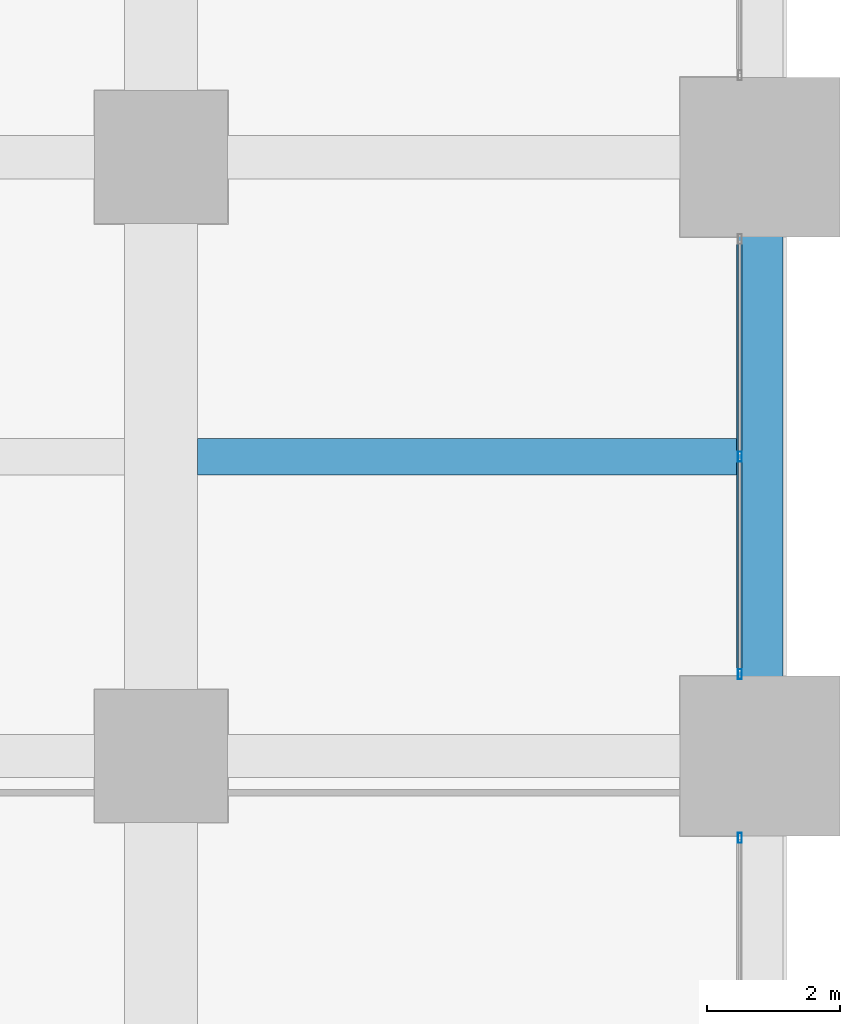
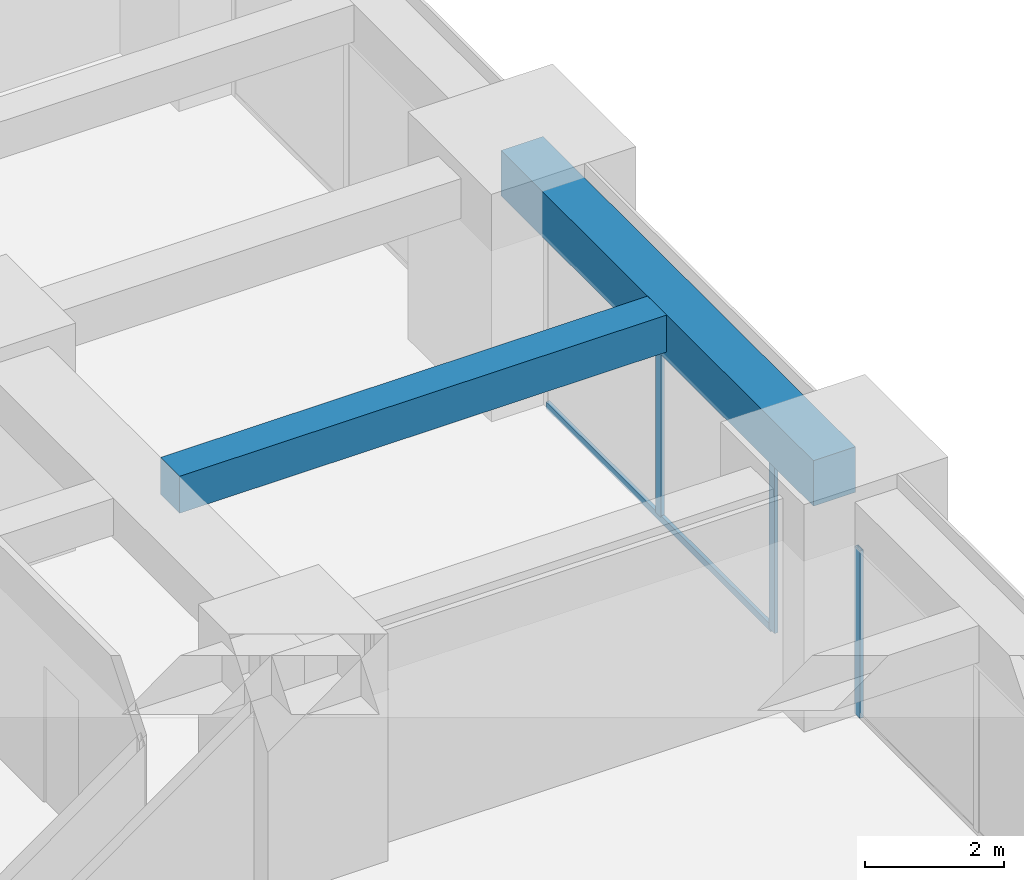
# One storey, part 21 of 39: 4 members, 2 beams, 2 elements without a shape of their own.
"""IFC4 building model written with IfcOpenShell, lengths in metres."""

import ifcopenshell
import ifcopenshell.guid

model = None  # the IFC model being written
_history = None  # IfcOwnerHistory: only IFC2X3 demands one
_inside = {}  # id of a spatial element -> (the spatial element, [elements in it])
_under = {}  # id of a project, library or spatial element -> (it, [spatial elements below it])
_declared = {}  # id of a project -> (the project, [libraries it declares])
_typed = {}  # id of a type object -> (the type object, [elements of that type])
_made_of = {}  # id of a material, layer set ... -> (it, [elements and type objects made of it])


def new_model(schema):
    """Start an empty IFC model of exactly this schema.

    Asked for "IFC4X3", IfcOpenShell would pick the latest addendum, in which some entities
    have other attributes; the version numbers below select the first issue.
    IFC2X3 requires an IfcOwnerHistory on every rooted entity: one is made here for all.
    """
    global model, _history
    if schema == "IFC4X3":
        model = ifcopenshell.file(schema_version=(4, 3, 0, 0))
    else:
        model = ifcopenshell.file(schema=schema)
    _inside.clear()
    _under.clear()
    _declared.clear()
    _typed.clear()
    _made_of.clear()
    _history = None
    if model.schema == "IFC2X3":
        org = make("IfcOrganization", Name="unknown")
        user = make(
            "IfcPersonAndOrganization",
            ThePerson=make("IfcPerson", FamilyName="unknown"),
            TheOrganization=org,
        )
        app = make(
            "IfcApplication",
            ApplicationDeveloper=org,
            Version="unknown",
            ApplicationFullName="unknown",
            ApplicationIdentifier="unknown",
        )
        _history = make(
            "IfcOwnerHistory",
            OwningUser=user,
            OwningApplication=app,
            ChangeAction="ADDED",
            CreationDate=0,
        )
    return model


def make(cls, **values):
    """One entity of the class cls with the attributes given. An attribute that is None is left unset."""
    return model.create_entity(
        cls, **{name: value for name, value in values.items() if value is not None}
    )


def rooted(cls, **values):
    """An entity with a GlobalId (a new one), such as an element, a storey or a relation."""
    return make(cls, GlobalId=ifcopenshell.guid.new(), OwnerHistory=_history, **values)


def si_unit(unit_type, name, prefix=None):
    """IfcSIUnit, for example si_unit("LENGTHUNIT", "METRE", prefix="MILLI")."""
    return make("IfcSIUnit", UnitType=unit_type, Prefix=prefix, Name=name)


def assignment(units):
    """IfcUnitAssignment: the units of a project."""
    return None if units is None else make("IfcUnitAssignment", Units=units)


def point(xyz):
    """IfcCartesianPoint."""
    return None if xyz is None else make("IfcCartesianPoint", Coordinates=xyz)


def direction(xyz):
    """IfcDirection."""
    return None if xyz is None else make("IfcDirection", DirectionRatios=xyz)


def frame(location, z_axis=None, x_axis=None):
    """IfcAxis2Placement3D, a coordinate frame: its origin and axes. An axis left out is left unset."""
    return make(
        "IfcAxis2Placement3D",
        Location=point(location),
        Axis=direction(z_axis),
        RefDirection=direction(x_axis),
    )


def frame_2d(location, x_axis=None):
    """IfcAxis2Placement2D, a coordinate frame in the plane: its origin and x axis."""
    return make(
        "IfcAxis2Placement2D", Location=point(location), RefDirection=direction(x_axis)
    )


def origin():
    """The frame at (0, 0, 0) with its axes left unset."""
    return frame((0.0, 0.0, 0.0))


def origin_2d():
    """The frame at (0, 0) in the plane with its x axis left unset."""
    return frame_2d((0.0, 0.0))


def place(relative_to, where):
    """IfcLocalPlacement: puts the frame where relative to a parent placement (None: the world)."""
    return make(
        "IfcLocalPlacement", PlacementRelTo=relative_to, RelativePlacement=where
    )


def context(
    kind, dimensions, precision=None, world=None, true_north=None, identifier=None
):
    """IfcGeometricRepresentationContext, for example the 3D "Model" context."""
    return make(
        "IfcGeometricRepresentationContext",
        ContextIdentifier=identifier,
        ContextType=kind,
        CoordinateSpaceDimension=dimensions,
        Precision=precision,
        WorldCoordinateSystem=world,
        TrueNorth=true_north,
    )


def subcontext(parent, identifier, kind, view, scale=None):
    """IfcGeometricRepresentationSubContext, for example "Body" below "Model"."""
    return make(
        "IfcGeometricRepresentationSubContext",
        ContextIdentifier=identifier,
        ContextType=kind,
        ParentContext=parent,
        TargetScale=scale,
        TargetView=view,
    )


def project(units=None, contexts=None):
    """IfcProject with its units and contexts."""
    return rooted(
        "IfcProject",
        Name="project",
        RepresentationContexts=contexts,
        UnitsInContext=assignment(units),
    )


def spatial(cls, under=None, at=None, **own):
    """A site, building, storey or space (cls), placed at a placement, below another one or the project."""
    s = rooted(cls, ObjectPlacement=at, **own)
    if under is not None:
        _under.setdefault(under.id(), (under, []))[1].append(s)
    return s


def profile(cls, at=None, kind="AREA", **sizes):
    """A parametric profile (cls). Its sizes go by their IFC names, for example OverallWidth=200.0."""
    return make(cls, ProfileType=kind, Position=at, **sizes)


def rectangle(**sizes):
    """IfcRectangleProfileDef."""
    return profile("IfcRectangleProfileDef", **sizes)


def hollow_rectangle(**sizes):
    """IfcRectangleHollowProfileDef."""
    return profile("IfcRectangleHollowProfileDef", **sizes)


def extrude(swept, where, along, depth):
    """IfcExtrudedAreaSolid: the profile swept, set in the frame where, extruded along a direction by depth."""
    return make(
        "IfcExtrudedAreaSolid",
        SweptArea=swept,
        Position=where,
        ExtrudedDirection=direction(along),
        Depth=depth,
    )


def shape(context_of_items, identifier, shape_type, items):
    """IfcShapeRepresentation: the items that make up one representation, for example the "Body"."""
    return make(
        "IfcShapeRepresentation",
        ContextOfItems=context_of_items,
        RepresentationIdentifier=identifier,
        RepresentationType=shape_type,
        Items=items,
    )


def material(Name=None, Category=None):
    """IfcMaterial."""
    return make("IfcMaterial", Name=Name, Category=Category)


def material_profile(
    of_material, cross_section, Name=None, Category=None, Priority=None
):
    """IfcMaterialProfile: a cross section and its material."""
    return make(
        "IfcMaterialProfile",
        Name=Name,
        Material=of_material,
        Profile=cross_section,
        Priority=Priority,
        Category=Category,
    )


def profile_set(profiles, Name=None, composite=None):
    """IfcMaterialProfileSet."""
    return make(
        "IfcMaterialProfileSet",
        Name=Name,
        MaterialProfiles=profiles,
        CompositeProfile=composite,
    )


def made_of(thing, what):
    """Note that an element or type object is made of a material, layer set ...; save() writes the relation."""
    if what is not None:
        _made_of.setdefault(what.id(), (what, []))[1].append(thing)
    return thing


def type_object(cls, material=None, **own):
    """A type object (cls), such as IfcWallType, which elements share."""
    return made_of(rooted(cls, **own), material)


def element(
    cls,
    number,
    at=None,
    inside=None,
    cuts=None,
    type_object=None,
    material=None,
    context=None,
    identifier="Body",
    shape_type=None,
    held_by="IfcProductDefinitionShape",
    body=None,
    shapes=None,
    **own,
):
    """One element of the class cls, such as IfcWall. Its Tag is "e" and its number.

    at: its placement. inside: the storey or other place that contains it. cuts: it is an
    opening in that element (IfcRelVoidsElement). A single representation is given by context,
    identifier, shape_type and body (its items); several are given by shapes. held_by: the class
    of the entity that holds the representations. save() writes the other relations.
    """
    e = rooted(cls, Tag="e%d" % number, ObjectPlacement=at, **own)
    if body is not None:
        shapes = [shape(context, identifier, shape_type, body)]
    if shapes is not None:
        e.Representation = make(held_by, Representations=shapes)
    if inside is not None:
        _inside.setdefault(inside.id(), (inside, []))[1].append(e)
    if cuts is not None:
        rooted(
            "IfcRelVoidsElement", RelatingBuildingElement=cuts, RelatedOpeningElement=e
        )
    if type_object is not None:
        _typed.setdefault(type_object.id(), (type_object, []))[1].append(e)
    return made_of(e, material)


def aggregate(whole, parts):
    """IfcRelAggregates: a whole, such as a stair, and the parts it consists of."""
    return rooted("IfcRelAggregates", RelatingObject=whole, RelatedObjects=parts)


def save(model, path):
    """Write the relations noted so far, then the file.

    IfcRelAggregates (storeys below a building ...), IfcRelContainedInSpatialStructure (elements
    in a storey), IfcRelDefinesByType, IfcRelAssociatesMaterial and IfcRelDeclares: one each for
    every whole, place, type object, material and project.
    """
    for whole, parts in _under.values():
        aggregate(whole, parts)
    for where, things in _inside.values():
        rooted(
            "IfcRelContainedInSpatialStructure",
            RelatedElements=things,
            RelatingStructure=where,
        )
    for kind, things in _typed.values():
        rooted("IfcRelDefinesByType", RelatedObjects=things, RelatingType=kind)
    for what, things in _made_of.values():
        rooted("IfcRelAssociatesMaterial", RelatedObjects=things, RelatingMaterial=what)
    for by, libraries in _declared.values():
        rooted("IfcRelDeclares", RelatingContext=by, RelatedDefinitions=libraries)
    model.write(path)


model = new_model("IFC4")

# Units and contexts
model_context = context("Model", 3, precision=1e-05, world=origin(), true_north=direction((0.0, 1.0)))
body_context = subcontext(model_context, "Body", "Model", "MODEL_VIEW")
ifc_project = project(units=[si_unit("LENGTHUNIT", "METRE"), si_unit("AREAUNIT", "SQUARE_METRE"), si_unit("VOLUMEUNIT", "CUBIC_METRE"), si_unit("PLANEANGLEUNIT", "RADIAN"), si_unit("MASSUNIT", "GRAM", prefix="KILO")], contexts=[model_context])

# Site, building, storey
site_placement = place(None, origin())
site = spatial("IfcSite", under=ifc_project, at=site_placement, CompositionType="ELEMENT")
building_placement = place(site_placement, origin())
building = spatial("IfcBuilding", under=site, at=building_placement, Name="Zorevar Civic Tower", CompositionType="ELEMENT")
storey_placement = place(building_placement, frame((0.0, 0.0, 121.0)))
storey = spatial("IfcBuildingStorey", under=building, at=storey_placement, Name="L29", CompositionType="ELEMENT", Elevation=121.0)

# Beam
ifc_material_1 = material(Name="Concrete C50/60", Category="concrete")
ifc_material_profile_1 = material_profile(ifc_material_1, rectangle(XDim=0.550048828125, YDim=0.64990234375, at=origin_2d()), Name="RC 550x650")
ifc_profile_set_1 = profile_set([ifc_material_profile_1], Name="Concrete C50/60")
beam_type_1 = type_object("IfcBeamType", Name="Beam RC 550x650", PredefinedType="BEAM", material=ifc_profile_set_1)
beam_1_placement = place(storey_placement, frame((54.550048828125, 22.5, 3.425048828125), z_axis=(1.0, 0.0, 0.0), x_axis=(0.0, 1.0, 0.0)))
element("IfcBeam", 1, at=beam_1_placement, inside=storey, type_object=beam_type_1, Name="Secondary beam L30", PredefinedType="BEAM", context=body_context, shape_type="SweptSolid", body=[
    extrude(rectangle(XDim=0.550048828125, YDim=0.64990234375, at=origin_2d()), origin(), (0.0, 0.0, 1.0), 8.099853515625),
])

# Curtain wall, member
ifc_material_2 = material(Name="Dark grey solar-control glass in black aluminium frame", Category="aluminium")
curtain_wall_type = type_object("IfcCurtainWallType", Name="Curtain wall CW3 mid zone", PredefinedType="NOTDEFINED", material=ifc_material_2)
curtain_wall_1_placement = place(storey_placement, origin())
curtain_wall_1 = element("IfcCurtainWall", 2, at=curtain_wall_1_placement, inside=storey, type_object=curtain_wall_type, Name="CW3 L29", PredefinedType="NOTDEFINED")
ifc_material_3 = material(Name="Aluminium, black anodised", Category="aluminium")
ifc_material_profile_2 = material_profile(ifc_material_3, hollow_rectangle(XDim=0.06005859375, YDim=0.14990234375, WallThickness=0.00390625, at=origin_2d()), Name="AL 150x60x4")
ifc_profile_set_2 = profile_set([ifc_material_profile_2], Name="Aluminium, black anodised")
member_type_1 = type_object("IfcMemberType", Name="CW3 mullion AL 150x60x4", PredefinedType="MULLION", material=ifc_profile_set_2)
member_1_placement = place(storey_placement, frame((62.699951171875, 16.77001953125, 0.0), z_axis=(0.0, 0.0, 1.0), x_axis=(-1.0, 0.0, 0.0)))
member_1 = element("IfcMember", 3, at=member_1_placement, type_object=member_type_1, Name="CW3 mullion 3", PredefinedType="MULLION", context=body_context, shape_type="SweptSolid", body=[
    extrude(hollow_rectangle(XDim=0.06005859375, YDim=0.14990234375, WallThickness=0.00390625, at=origin_2d()), origin(), (0.0, 0.0, 1.0), 2.949951171875),
])
aggregate(curtain_wall_1, [member_1])

# Curtain wall, members
curtain_wall_2_placement = place(storey_placement, origin())
curtain_wall_2 = element("IfcCurtainWall", 4, at=curtain_wall_2_placement, inside=storey, type_object=curtain_wall_type, Name="CW3 L29", PredefinedType="NOTDEFINED")
member_2_placement = place(storey_placement, frame((62.699951171875, 19.22998046875, 0.0), z_axis=(0.0, 0.0, 1.0), x_axis=(-1.0, 0.0, 0.0)))
member_2 = element("IfcMember", 5, at=member_2_placement, type_object=member_type_1, Name="CW3 mullion 1", PredefinedType="MULLION", context=body_context, shape_type="SweptSolid", body=[
    extrude(hollow_rectangle(XDim=0.06005859375, YDim=0.14990234375, WallThickness=0.00390625, at=origin_2d()), origin(), (0.0, 0.0, 1.0), 2.949951171875),
])
member_3_placement = place(storey_placement, frame((62.699951171875, 22.5, 0.06005859375), z_axis=(0.0, 0.0, 1.0), x_axis=(-1.0, 0.0, 0.0)))
member_3 = element("IfcMember", 6, at=member_3_placement, type_object=member_type_1, Name="CW3 mullion 2", PredefinedType="MULLION", context=body_context, shape_type="SweptSolid", body=[
    extrude(hollow_rectangle(XDim=0.06005859375, YDim=0.14990234375, WallThickness=0.00390625, at=origin_2d()), origin(), (0.0, 0.0, 1.0), 2.889892578125),
])
ifc_material_4 = material(Name="Aluminium, black anodised", Category="aluminium")
ifc_material_profile_3 = material_profile(ifc_material_4, hollow_rectangle(XDim=0.06005859375, YDim=0.1201171875, WallThickness=0.0029296875, at=origin_2d()), Name="AL 120x60x3")
ifc_profile_set_3 = profile_set([ifc_material_profile_3], Name="Aluminium, black anodised")
member_type_2 = type_object("IfcMemberType", Name="CW3 transom AL 120x60x3", PredefinedType="USERDEFINED", material=ifc_profile_set_3)
member_4_placement = place(storey_placement, frame((62.699951171875, 19.260009765625, 0.030029296875), z_axis=(0.0, 1.0, 0.0), x_axis=(-1.0, 0.0, 0.0)))
member_4 = element("IfcMember", 7, at=member_4_placement, type_object=member_type_2, Name="CW3 sill transom", ObjectType="TRANSOM", PredefinedType="USERDEFINED", context=body_context, shape_type="SweptSolid", body=[
    extrude(hollow_rectangle(XDim=0.06005859375, YDim=0.1201171875, WallThickness=0.0029296875, at=origin_2d()), origin(), (0.0, 0.0, 1.0), 6.47998046875),
])
aggregate(curtain_wall_2, [member_2, member_3, member_4])

# Beam
ifc_material_5 = material(Name="Concrete C50/60", Category="concrete")
ifc_material_profile_4 = material_profile(ifc_material_5, rectangle(XDim=0.699951171875, YDim=0.800048828125, at=origin_2d()), Name="RC 700x800")
ifc_profile_set_4 = profile_set([ifc_material_profile_4], Name="Concrete C50/60")
beam_type_2 = type_object("IfcBeamType", Name="Edge beam RC 700x800", PredefinedType="SPANDREL", material=ifc_profile_set_4)
beam_2_placement = place(storey_placement, frame((63.0, 18.0, 3.35009765625), z_axis=(0.0, 1.0, 0.0), x_axis=(-1.0, 0.0, 0.0)))
element("IfcBeam", 8, at=beam_2_placement, inside=storey, type_object=beam_type_2, Name="Edge beam L30", PredefinedType="SPANDREL", context=body_context, shape_type="SweptSolid", body=[
    extrude(rectangle(XDim=0.699951171875, YDim=0.800048828125, at=origin_2d()), origin(), (0.0, 0.0, 1.0), 9.0),
])

save(model, "model.ifc")
